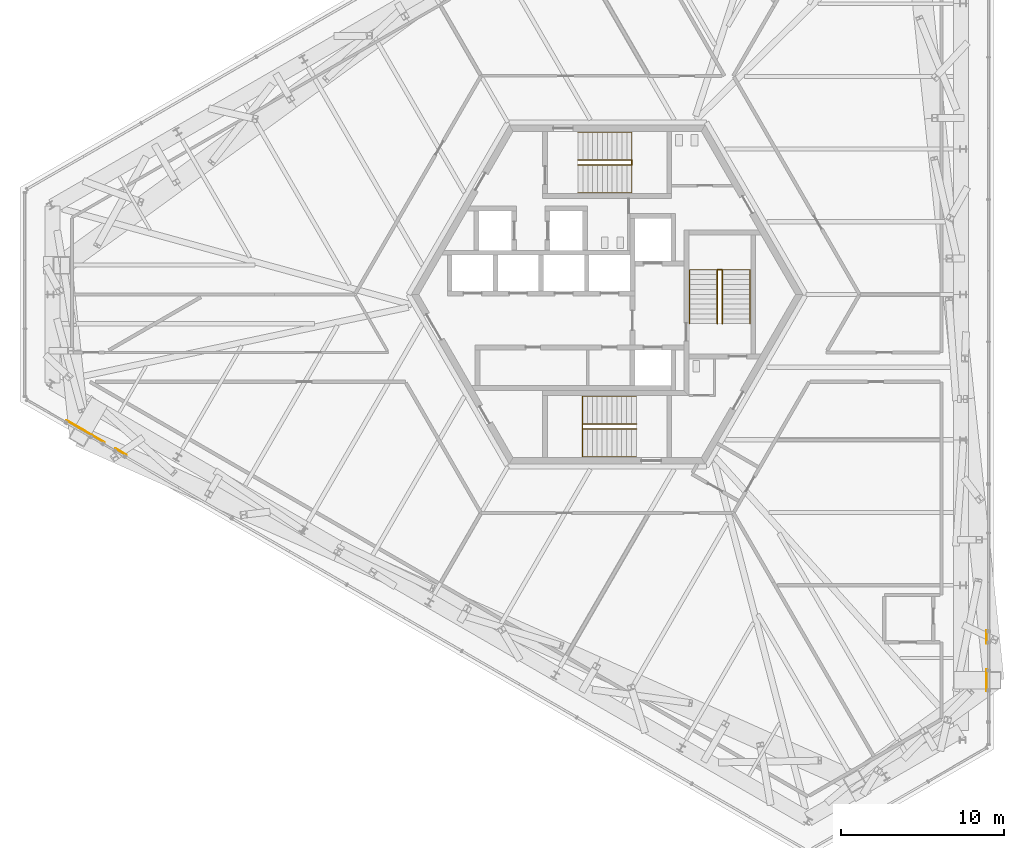
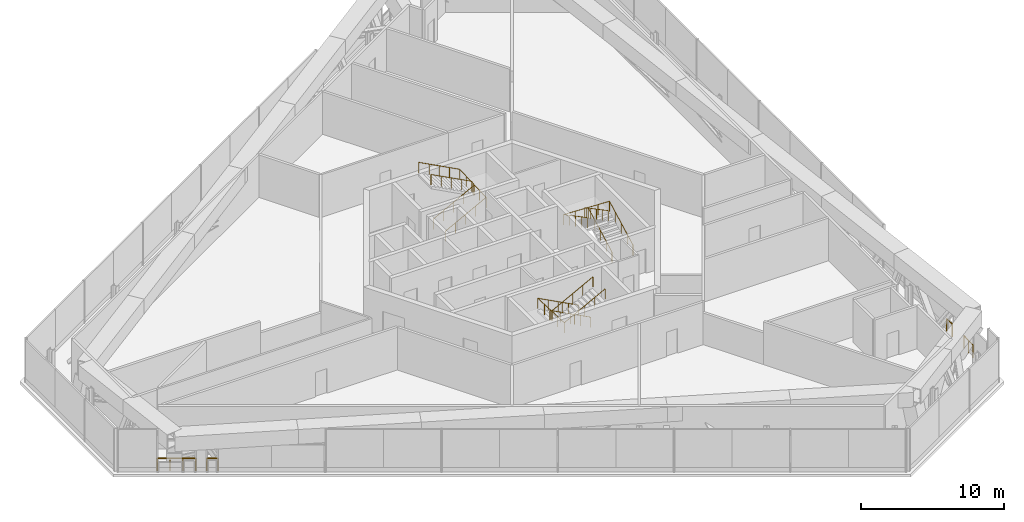
# One storey, part 21 of 23: 10 railings.
"""IFC4 building model written with IfcOpenShell, lengths in metres."""

from ifc_helpers import new_model, si_unit, direction, frame, origin, origin_2d, place, context, subcontext, project, spatial, circle, extrude, source, transform, mapped, material, type_object, element, save


model = new_model("IFC4")

# Units and contexts
model_context = context("Model", 3, precision=1e-05, world=origin(), true_north=direction((0.0, 1.0)))
body_context = subcontext(model_context, "Body", "Model", "MODEL_VIEW")
ifc_project = project(units=[si_unit("LENGTHUNIT", "METRE"), si_unit("AREAUNIT", "SQUARE_METRE"), si_unit("VOLUMEUNIT", "CUBIC_METRE"), si_unit("PLANEANGLEUNIT", "RADIAN"), si_unit("MASSUNIT", "GRAM", prefix="KILO")], contexts=[model_context])

# Site, building, storey
site_placement = place(None, origin())
site = spatial("IfcSite", under=ifc_project, at=site_placement, CompositionType="ELEMENT")
building_placement = place(site_placement, origin())
building = spatial("IfcBuilding", under=site, at=building_placement, Name="Triune Harvest Tower", CompositionType="ELEMENT")
storey_placement = place(building_placement, frame((0.0, 0.0, 54.699951171875)))
storey = spatial("IfcBuildingStorey", under=building, at=storey_placement, Name="L12", CompositionType="ELEMENT", Elevation=54.699951171875)

# Railings
ifc_material_1 = material(Name="Glass", Category="glass")
railing_type_1 = type_object("IfcRailingType", Name="GD-3 facade guard 1100", PredefinedType="GUARDRAIL", material=ifc_material_1)
railing_1_placement = place(storey_placement, frame((23.247314453125, -24.28955078125, 0.0)))
element("IfcRailing", 1, at=railing_1_placement, inside=storey, type_object=railing_type_1, Name="Facade guard B1-F1 L12.1.1", PredefinedType="GUARDRAIL", context=body_context, shape_type="SweptSolid", body=[
    extrude(circle(Radius=0.02392578125, at=origin_2d()), frame((0.0, 0.0, 1.076171875), z_axis=(0.0, 1.0, 0.0), x_axis=(-1.0, 0.0, 0.0)), (0.0, 0.0, 1.0), 1.300048828125),
    extrude(circle(Radius=0.02099609375, at=origin_2d()), origin(), (0.0, 0.0, 1.0), 1.052001953125),
    extrude(circle(Radius=0.02099609375, at=origin_2d()), frame((0.0, 0.64990234375, 0.0)), (0.0, 0.0, 1.0), 1.052001953125),
    extrude(circle(Radius=0.02099609375, at=origin_2d()), frame((0.0, 1.300048828125, 0.0)), (0.0, 0.0, 1.0), 1.052001953125),
])
railing_2_placement = place(storey_placement, frame((23.247314453125, -21.37060546875, 0.0)))
element("IfcRailing", 2, at=railing_2_placement, inside=storey, type_object=railing_type_1, Name="Facade guard B1-F1 L12.1.2", PredefinedType="GUARDRAIL", context=body_context, shape_type="SweptSolid", body=[
    extrude(circle(Radius=0.02392578125, at=origin_2d()), frame((0.0, 0.0, 1.076171875), z_axis=(0.0, 1.0, 0.0), x_axis=(-1.0, 0.0, 0.0)), (0.0, 0.0, 1.0), 0.777587890625),
    extrude(circle(Radius=0.02099609375, at=origin_2d()), origin(), (0.0, 0.0, 1.0), 1.052001953125),
    extrude(circle(Radius=0.02099609375, at=origin_2d()), frame((0.0, 0.777587890625, 0.0)), (0.0, 0.0, 1.0), 1.052001953125),
])
railing_3_placement = place(storey_placement, frame((-33.12939453125, -7.71630859375, 0.0)))
element("IfcRailing", 3, at=railing_3_placement, inside=storey, type_object=railing_type_1, Name="Facade guard B1-F5 L12.1.1", PredefinedType="GUARDRAIL", context=body_context, shape_type="SweptSolid", body=[
    extrude(circle(Radius=0.02392578125, at=origin_2d()), frame((0.0, 0.0, 1.076171875), z_axis=(0.86599683645, -0.500049476811, 0.0), x_axis=(0.500049476811, 0.86599683645, 0.0)), (0.0, 0.0, 1.0), 2.692626953125),
    extrude(circle(Radius=0.02099609375, at=origin_2d()), origin(), (0.0, 0.0, 1.0), 1.052001953125),
    extrude(circle(Radius=0.02099609375, at=origin_2d()), frame((0.77734375, -0.44873046875, 0.0)), (0.0, 0.0, 1.0), 1.052001953125),
    extrude(circle(Radius=0.02099609375, at=origin_2d()), frame((1.554443359375, -0.897705078125, 0.0)), (0.0, 0.0, 1.0), 1.052001953125),
    extrude(circle(Radius=0.02099609375, at=origin_2d()), frame((2.331787109375, -1.346435546875, 0.0)), (0.0, 0.0, 1.0), 1.052001953125),
])
railing_4_placement = place(storey_placement, frame((-30.131103515625, -9.447509765625, 0.0)))
element("IfcRailing", 4, at=railing_4_placement, inside=storey, type_object=railing_type_1, Name="Facade guard B1-F5 L12.1.2", PredefinedType="GUARDRAIL", context=body_context, shape_type="SweptSolid", body=[
    extrude(circle(Radius=0.02392578125, at=origin_2d()), frame((0.0, 0.0, 1.076171875), z_axis=(0.865934578108, -0.500157281699, 0.0), x_axis=(0.500157281699, 0.865934578108, 0.0)), (0.0, 0.0, 1.0), 0.777587890625),
    extrude(circle(Radius=0.02099609375, at=origin_2d()), origin(), (0.0, 0.0, 1.0), 1.052001953125),
    extrude(circle(Radius=0.02099609375, at=origin_2d()), frame((0.67333984375, -0.388916015625, 0.0)), (0.0, 0.0, 1.0), 1.052001953125),
])
ifc_material_2 = material(Name="Stainless steel AISI 316", Category="steel")
railing_type_2 = type_object("IfcRailingType", Name="Stair handrail", PredefinedType="HANDRAIL", material=ifc_material_2)
shared_shape_1 = source(origin(), body_context, "Body", "SweptSolid", [
    extrude(circle(Radius=0.02392578125, at=origin_2d()), frame((0.0, 0.0, 0.8759765625), z_axis=(0.884384002621, 0.0, 0.466760041037), x_axis=(0.0, 1.0, 0.0)), (0.0, 0.0, 1.0), 3.7314453125),
    extrude(circle(Radius=0.02392578125, at=origin_2d()), frame((3.300048828125, 0.0, 2.61767578125), z_axis=(0.0, 0.999087121181, 0.042719132598), x_axis=(-1.0, 0.0, 0.0)), (0.0, 0.0, 1.0), 3.703369140625),
    extrude(circle(Radius=0.02392578125, at=origin_2d()), frame((3.300048828125, 3.699951171875, 2.77587890625), z_axis=(-0.884384002621, 0.0, 0.466760041037), x_axis=(0.0, -1.0, 0.0)), (0.0, 0.0, 1.0), 3.7314453125),
    extrude(circle(Radius=0.02099609375, at=origin_2d()), origin(), (0.0, 0.0, 1.0), 0.851806640625),
    extrude(circle(Radius=0.02099609375, at=origin_2d()), frame((0.824951171875, 0.0, 0.435546875)), (0.0, 0.0, 1.0), 0.851806640625),
    extrude(circle(Radius=0.02099609375, at=origin_2d()), frame((1.64990234375, 0.0, 0.870849609375)), (0.0, 0.0, 1.0), 0.851806640625),
    extrude(circle(Radius=0.02099609375, at=origin_2d()), frame((2.47509765625, 0.0, 1.30615234375)), (0.0, 0.0, 1.0), 0.851806640625),
    extrude(circle(Radius=0.02099609375, at=origin_2d()), frame((3.300048828125, 0.0, 1.74169921875)), (0.0, 0.0, 1.0), 0.851806640625),
    extrude(circle(Radius=0.02099609375, at=origin_2d()), frame((3.300048828125, 0.925048828125, 1.78125)), (0.0, 0.0, 1.0), 0.851806640625),
    extrude(circle(Radius=0.02099609375, at=origin_2d()), frame((3.300048828125, 1.85009765625, 1.82080078125)), (0.0, 0.0, 1.0), 0.851806640625),
    extrude(circle(Radius=0.02099609375, at=origin_2d()), frame((3.300048828125, 2.77490234375, 1.8603515625)), (0.0, 0.0, 1.0), 0.851806640625),
    extrude(circle(Radius=0.02099609375, at=origin_2d()), frame((3.300048828125, 3.699951171875, 1.89990234375)), (0.0, 0.0, 1.0), 0.851806640625),
    extrude(circle(Radius=0.02099609375, at=origin_2d()), frame((2.47509765625, 3.699951171875, 2.33544921875)), (0.0, 0.0, 1.0), 0.851806640625),
    extrude(circle(Radius=0.02099609375, at=origin_2d()), frame((1.64990234375, 3.699951171875, 2.770751953125)), (0.0, 0.0, 1.0), 0.851806640625),
    extrude(circle(Radius=0.02099609375, at=origin_2d()), frame((0.824951171875, 3.699951171875, 3.2060546875)), (0.0, 0.0, 1.0), 0.851806640625),
    extrude(circle(Radius=0.02099609375, at=origin_2d()), frame((0.0, 3.699951171875, 3.6416015625)), (0.0, 0.0, 1.0), 0.851806640625),
])
railing_5_placement = place(storey_placement, frame((-1.7900390625, 6.239990234375, 0.158447265625)))
element("IfcRailing", 5, at=railing_5_placement, inside=storey, type_object=railing_type_2, Name="Exit stair north wall handrail", PredefinedType="HANDRAIL", context=body_context, shape_type="MappedRepresentation", body=[
    mapped(shared_shape_1, transform((0.0, 0.0, 0.0), scale=1.0)),
])
shared_shape_2 = source(origin(), body_context, "Body", "SweptSolid", [
    extrude(circle(Radius=0.02392578125, at=origin_2d()), frame((0.0, 0.0, 0.8759765625), z_axis=(0.884384002621, 0.0, 0.466760041037), x_axis=(0.0, 1.0, 0.0)), (0.0, 0.0, 1.0), 3.7314453125),
    extrude(circle(Radius=0.02392578125, at=origin_2d()), frame((3.300048828125, 0.0, 2.61767578125), z_axis=(0.0, 0.884574499493, 0.466398922434), x_axis=(-1.0, 0.0, 0.0)), (0.0, 0.0, 1.0), 0.339111328125),
    extrude(circle(Radius=0.02392578125, at=origin_2d()), frame((3.300048828125, 0.300048828125, 2.77587890625), z_axis=(-0.884384002621, 0.0, 0.466760041037), x_axis=(0.0, -1.0, 0.0)), (0.0, 0.0, 1.0), 3.7314453125),
    extrude(circle(Radius=0.02099609375, at=origin_2d()), origin(), (0.0, 0.0, 1.0), 0.851806640625),
    extrude(circle(Radius=0.02099609375, at=origin_2d()), frame((0.824951171875, 0.0, 0.435546875)), (0.0, 0.0, 1.0), 0.851806640625),
    extrude(circle(Radius=0.02099609375, at=origin_2d()), frame((1.64990234375, 0.0, 0.870849609375)), (0.0, 0.0, 1.0), 0.851806640625),
    extrude(circle(Radius=0.02099609375, at=origin_2d()), frame((2.47509765625, 0.0, 1.30615234375)), (0.0, 0.0, 1.0), 0.851806640625),
    extrude(circle(Radius=0.02099609375, at=origin_2d()), frame((3.300048828125, 0.0, 1.74169921875)), (0.0, 0.0, 1.0), 0.851806640625),
    extrude(circle(Radius=0.02099609375, at=origin_2d()), frame((3.300048828125, 0.300048828125, 1.89990234375)), (0.0, 0.0, 1.0), 0.851806640625),
    extrude(circle(Radius=0.02099609375, at=origin_2d()), frame((2.47509765625, 0.300048828125, 2.33544921875)), (0.0, 0.0, 1.0), 0.851806640625),
    extrude(circle(Radius=0.02099609375, at=origin_2d()), frame((1.64990234375, 0.300048828125, 2.770751953125)), (0.0, 0.0, 1.0), 0.851806640625),
    extrude(circle(Radius=0.02099609375, at=origin_2d()), frame((0.824951171875, 0.300048828125, 3.2060546875)), (0.0, 0.0, 1.0), 0.851806640625),
    extrude(circle(Radius=0.02099609375, at=origin_2d()), frame((0.0, 0.300048828125, 3.6416015625)), (0.0, 0.0, 1.0), 0.851806640625),
])
railing_6_placement = place(storey_placement, frame((-1.7900390625, 7.93994140625, 0.158447265625)))
element("IfcRailing", 6, at=railing_6_placement, inside=storey, type_object=railing_type_2, Name="Exit stair north centre handrail", PredefinedType="HANDRAIL", context=body_context, shape_type="MappedRepresentation", body=[
    mapped(shared_shape_2, transform((0.0, 0.0, 0.0), scale=1.0)),
])
shared_shape_3 = source(origin(), body_context, "Body", "SweptSolid", [
    extrude(circle(Radius=0.02392578125, at=origin_2d()), frame((0.0, 0.0, 0.8759765625), z_axis=(-0.884384002621, 0.0, 0.466760041037), x_axis=(0.0, -1.0, 0.0)), (0.0, 0.0, 1.0), 3.7314453125),
    extrude(circle(Radius=0.02392578125, at=origin_2d()), frame((-3.300048828125, 0.0, 2.61767578125), z_axis=(0.0, -0.999087121181, 0.042719132598), x_axis=(1.0, 0.0, 0.0)), (0.0, 0.0, 1.0), 3.703369140625),
    extrude(circle(Radius=0.02392578125, at=origin_2d()), frame((-3.300048828125, -3.699951171875, 2.77587890625), z_axis=(0.884384002621, 0.0, 0.466760041037), x_axis=(0.0, 1.0, 0.0)), (0.0, 0.0, 1.0), 3.7314453125),
    extrude(circle(Radius=0.02099609375, at=origin_2d()), origin(), (0.0, 0.0, 1.0), 0.851806640625),
    extrude(circle(Radius=0.02099609375, at=origin_2d()), frame((-0.824951171875, 0.0, 0.435546875)), (0.0, 0.0, 1.0), 0.851806640625),
    extrude(circle(Radius=0.02099609375, at=origin_2d()), frame((-1.64990234375, 0.0, 0.870849609375)), (0.0, 0.0, 1.0), 0.851806640625),
    extrude(circle(Radius=0.02099609375, at=origin_2d()), frame((-2.47509765625, 0.0, 1.30615234375)), (0.0, 0.0, 1.0), 0.851806640625),
    extrude(circle(Radius=0.02099609375, at=origin_2d()), frame((-3.300048828125, 0.0, 1.74169921875)), (0.0, 0.0, 1.0), 0.851806640625),
    extrude(circle(Radius=0.02099609375, at=origin_2d()), frame((-3.300048828125, -0.925048828125, 1.78125)), (0.0, 0.0, 1.0), 0.851806640625),
    extrude(circle(Radius=0.02099609375, at=origin_2d()), frame((-3.300048828125, -1.85009765625, 1.82080078125)), (0.0, 0.0, 1.0), 0.851806640625),
    extrude(circle(Radius=0.02099609375, at=origin_2d()), frame((-3.300048828125, -2.77490234375, 1.8603515625)), (0.0, 0.0, 1.0), 0.851806640625),
    extrude(circle(Radius=0.02099609375, at=origin_2d()), frame((-3.300048828125, -3.699951171875, 1.89990234375)), (0.0, 0.0, 1.0), 0.851806640625),
    extrude(circle(Radius=0.02099609375, at=origin_2d()), frame((-2.47509765625, -3.699951171875, 2.33544921875)), (0.0, 0.0, 1.0), 0.851806640625),
    extrude(circle(Radius=0.02099609375, at=origin_2d()), frame((-1.64990234375, -3.699951171875, 2.770751953125)), (0.0, 0.0, 1.0), 0.851806640625),
    extrude(circle(Radius=0.02099609375, at=origin_2d()), frame((-0.824951171875, -3.699951171875, 3.2060546875)), (0.0, 0.0, 1.0), 0.851806640625),
    extrude(circle(Radius=0.02099609375, at=origin_2d()), frame((0.0, -3.699951171875, 3.6416015625)), (0.0, 0.0, 1.0), 0.851806640625),
])
railing_7_placement = place(storey_placement, frame((1.7900390625, -6.239990234375, 0.158447265625)))
element("IfcRailing", 7, at=railing_7_placement, inside=storey, type_object=railing_type_2, Name="Exit stair south wall handrail", PredefinedType="HANDRAIL", context=body_context, shape_type="MappedRepresentation", body=[
    mapped(shared_shape_3, transform((0.0, 0.0, 0.0), scale=1.0)),
])
shared_shape_4 = source(origin(), body_context, "Body", "SweptSolid", [
    extrude(circle(Radius=0.02392578125, at=origin_2d()), frame((0.0, 0.0, 0.8759765625), z_axis=(-0.884384002621, 0.0, 0.466760041037), x_axis=(0.0, -1.0, 0.0)), (0.0, 0.0, 1.0), 3.7314453125),
    extrude(circle(Radius=0.02392578125, at=origin_2d()), frame((-3.300048828125, 0.0, 2.61767578125), z_axis=(0.0, -0.884574499493, 0.466398922434), x_axis=(1.0, 0.0, 0.0)), (0.0, 0.0, 1.0), 0.339111328125),
    extrude(circle(Radius=0.02392578125, at=origin_2d()), frame((-3.300048828125, -0.300048828125, 2.77587890625), z_axis=(0.884384002621, 0.0, 0.466760041037), x_axis=(0.0, 1.0, 0.0)), (0.0, 0.0, 1.0), 3.7314453125),
    extrude(circle(Radius=0.02099609375, at=origin_2d()), origin(), (0.0, 0.0, 1.0), 0.851806640625),
    extrude(circle(Radius=0.02099609375, at=origin_2d()), frame((-0.824951171875, 0.0, 0.435546875)), (0.0, 0.0, 1.0), 0.851806640625),
    extrude(circle(Radius=0.02099609375, at=origin_2d()), frame((-1.64990234375, 0.0, 0.870849609375)), (0.0, 0.0, 1.0), 0.851806640625),
    extrude(circle(Radius=0.02099609375, at=origin_2d()), frame((-2.47509765625, 0.0, 1.30615234375)), (0.0, 0.0, 1.0), 0.851806640625),
    extrude(circle(Radius=0.02099609375, at=origin_2d()), frame((-3.300048828125, 0.0, 1.74169921875)), (0.0, 0.0, 1.0), 0.851806640625),
    extrude(circle(Radius=0.02099609375, at=origin_2d()), frame((-3.300048828125, -0.300048828125, 1.89990234375)), (0.0, 0.0, 1.0), 0.851806640625),
    extrude(circle(Radius=0.02099609375, at=origin_2d()), frame((-2.47509765625, -0.300048828125, 2.33544921875)), (0.0, 0.0, 1.0), 0.851806640625),
    extrude(circle(Radius=0.02099609375, at=origin_2d()), frame((-1.64990234375, -0.300048828125, 2.770751953125)), (0.0, 0.0, 1.0), 0.851806640625),
    extrude(circle(Radius=0.02099609375, at=origin_2d()), frame((-0.824951171875, -0.300048828125, 3.2060546875)), (0.0, 0.0, 1.0), 0.851806640625),
    extrude(circle(Radius=0.02099609375, at=origin_2d()), frame((0.0, -0.300048828125, 3.6416015625)), (0.0, 0.0, 1.0), 0.851806640625),
])
railing_8_placement = place(storey_placement, frame((1.7900390625, -7.93994140625, 0.158447265625)))
element("IfcRailing", 8, at=railing_8_placement, inside=storey, type_object=railing_type_2, Name="Exit stair south centre handrail", PredefinedType="HANDRAIL", context=body_context, shape_type="MappedRepresentation", body=[
    mapped(shared_shape_4, transform((0.0, 0.0, 0.0), scale=1.0)),
])
shared_shape_5 = source(origin(), body_context, "Body", "SweptSolid", [
    extrude(circle(Radius=0.02392578125, at=origin_2d()), frame((0.0, 0.0, 0.8759765625), z_axis=(0.0, 0.884384002621, 0.466760041037), x_axis=(-1.0, 0.0, 0.0)), (0.0, 0.0, 1.0), 3.7314453125),
    extrude(circle(Radius=0.02392578125, at=origin_2d()), frame((0.0, 3.300048828125, 2.61767578125), z_axis=(-0.999087121181, 0.0, 0.042719132598), x_axis=(0.0, -1.0, 0.0)), (0.0, 0.0, 1.0), 3.703369140625),
    extrude(circle(Radius=0.02392578125, at=origin_2d()), frame((-3.699951171875, 3.300048828125, 2.77587890625), z_axis=(0.0, -0.884384002621, 0.466760041037), x_axis=(1.0, 0.0, 0.0)), (0.0, 0.0, 1.0), 3.7314453125),
    extrude(circle(Radius=0.02099609375, at=origin_2d()), origin(), (0.0, 0.0, 1.0), 0.851806640625),
    extrude(circle(Radius=0.02099609375, at=origin_2d()), frame((0.0, 0.824951171875, 0.435546875)), (0.0, 0.0, 1.0), 0.851806640625),
    extrude(circle(Radius=0.02099609375, at=origin_2d()), frame((0.0, 1.64990234375, 0.870849609375)), (0.0, 0.0, 1.0), 0.851806640625),
    extrude(circle(Radius=0.02099609375, at=origin_2d()), frame((0.0, 2.47509765625, 1.30615234375)), (0.0, 0.0, 1.0), 0.851806640625),
    extrude(circle(Radius=0.02099609375, at=origin_2d()), frame((0.0, 3.300048828125, 1.74169921875)), (0.0, 0.0, 1.0), 0.851806640625),
    extrude(circle(Radius=0.02099609375, at=origin_2d()), frame((-0.925048828125, 3.300048828125, 1.78125)), (0.0, 0.0, 1.0), 0.851806640625),
    extrude(circle(Radius=0.02099609375, at=origin_2d()), frame((-1.85009765625, 3.300048828125, 1.82080078125)), (0.0, 0.0, 1.0), 0.851806640625),
    extrude(circle(Radius=0.02099609375, at=origin_2d()), frame((-2.77490234375, 3.300048828125, 1.8603515625)), (0.0, 0.0, 1.0), 0.851806640625),
    extrude(circle(Radius=0.02099609375, at=origin_2d()), frame((-3.699951171875, 3.300048828125, 1.89990234375)), (0.0, 0.0, 1.0), 0.851806640625),
    extrude(circle(Radius=0.02099609375, at=origin_2d()), frame((-3.699951171875, 2.47509765625, 2.33544921875)), (0.0, 0.0, 1.0), 0.851806640625),
    extrude(circle(Radius=0.02099609375, at=origin_2d()), frame((-3.699951171875, 1.64990234375, 2.770751953125)), (0.0, 0.0, 1.0), 0.851806640625),
    extrude(circle(Radius=0.02099609375, at=origin_2d()), frame((-3.699951171875, 0.824951171875, 3.2060546875)), (0.0, 0.0, 1.0), 0.851806640625),
    extrude(circle(Radius=0.02099609375, at=origin_2d()), frame((-3.699951171875, 0.0, 3.6416015625)), (0.0, 0.0, 1.0), 0.851806640625),
])
railing_9_placement = place(storey_placement, frame((8.75, -1.7900390625, 0.158447265625)))
element("IfcRailing", 9, at=railing_9_placement, inside=storey, type_object=railing_type_2, Name="Exit stair east wall handrail", PredefinedType="HANDRAIL", context=body_context, shape_type="MappedRepresentation", body=[
    mapped(shared_shape_5, transform((0.0, 0.0, 0.0), scale=1.0)),
])
shared_shape_6 = source(origin(), body_context, "Body", "SweptSolid", [
    extrude(circle(Radius=0.02392578125, at=origin_2d()), frame((0.0, 0.0, 0.8759765625), z_axis=(0.0, 0.884384002621, 0.466760041037), x_axis=(-1.0, 0.0, 0.0)), (0.0, 0.0, 1.0), 3.7314453125),
    extrude(circle(Radius=0.02392578125, at=origin_2d()), frame((0.0, 3.300048828125, 2.61767578125), z_axis=(-0.884574499493, 0.0, 0.466398922434), x_axis=(0.0, -1.0, 0.0)), (0.0, 0.0, 1.0), 0.339111328125),
    extrude(circle(Radius=0.02392578125, at=origin_2d()), frame((-0.300048828125, 3.300048828125, 2.77587890625), z_axis=(0.0, -0.884384002621, 0.466760041037), x_axis=(1.0, 0.0, 0.0)), (0.0, 0.0, 1.0), 3.7314453125),
    extrude(circle(Radius=0.02099609375, at=origin_2d()), origin(), (0.0, 0.0, 1.0), 0.851806640625),
    extrude(circle(Radius=0.02099609375, at=origin_2d()), frame((0.0, 0.824951171875, 0.435546875)), (0.0, 0.0, 1.0), 0.851806640625),
    extrude(circle(Radius=0.02099609375, at=origin_2d()), frame((0.0, 1.64990234375, 0.870849609375)), (0.0, 0.0, 1.0), 0.851806640625),
    extrude(circle(Radius=0.02099609375, at=origin_2d()), frame((0.0, 2.47509765625, 1.30615234375)), (0.0, 0.0, 1.0), 0.851806640625),
    extrude(circle(Radius=0.02099609375, at=origin_2d()), frame((0.0, 3.300048828125, 1.74169921875)), (0.0, 0.0, 1.0), 0.851806640625),
    extrude(circle(Radius=0.02099609375, at=origin_2d()), frame((-0.300048828125, 3.300048828125, 1.89990234375)), (0.0, 0.0, 1.0), 0.851806640625),
    extrude(circle(Radius=0.02099609375, at=origin_2d()), frame((-0.300048828125, 2.47509765625, 2.33544921875)), (0.0, 0.0, 1.0), 0.851806640625),
    extrude(circle(Radius=0.02099609375, at=origin_2d()), frame((-0.300048828125, 1.64990234375, 2.770751953125)), (0.0, 0.0, 1.0), 0.851806640625),
    extrude(circle(Radius=0.02099609375, at=origin_2d()), frame((-0.300048828125, 0.824951171875, 3.2060546875)), (0.0, 0.0, 1.0), 0.851806640625),
    extrude(circle(Radius=0.02099609375, at=origin_2d()), frame((-0.300048828125, 0.0, 3.6416015625)), (0.0, 0.0, 1.0), 0.851806640625),
])
railing_10_placement = place(storey_placement, frame((7.050048828125, -1.7900390625, 0.158447265625)))
element("IfcRailing", 10, at=railing_10_placement, inside=storey, type_object=railing_type_2, Name="Exit stair east centre handrail", PredefinedType="HANDRAIL", context=body_context, shape_type="MappedRepresentation", body=[
    mapped(shared_shape_6, transform((0.0, 0.0, 0.0), scale=1.0)),
])

save(model, "model.ifc")
